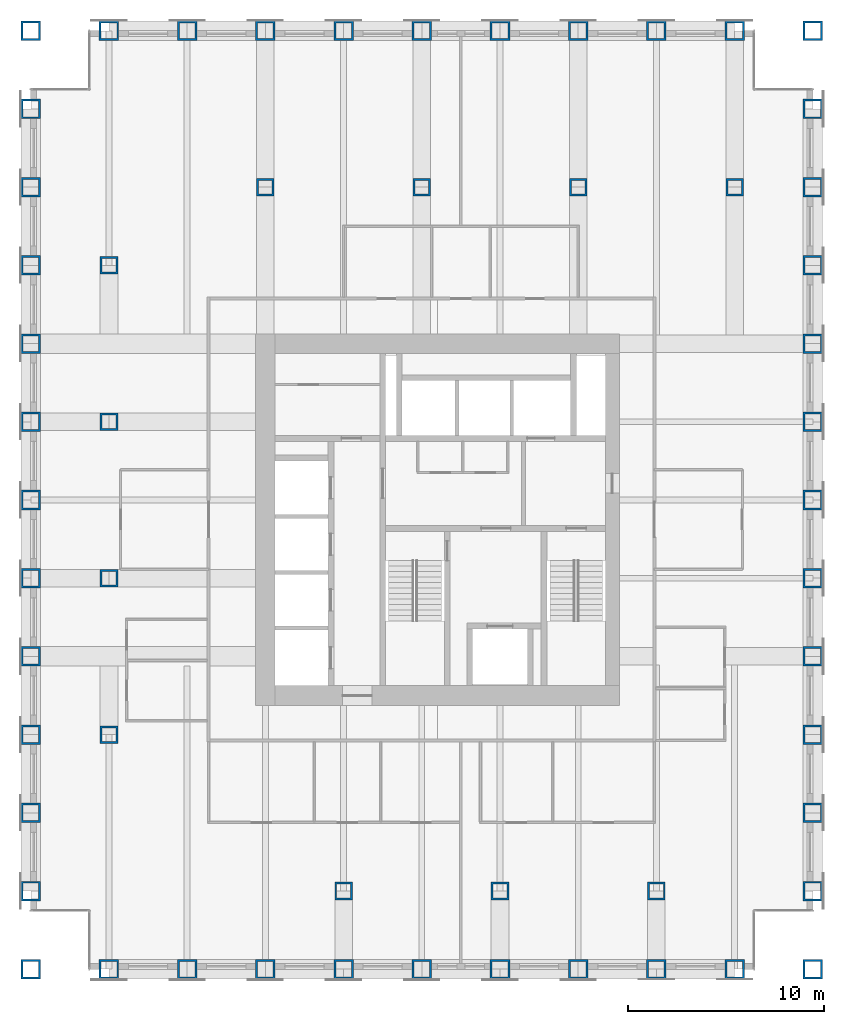
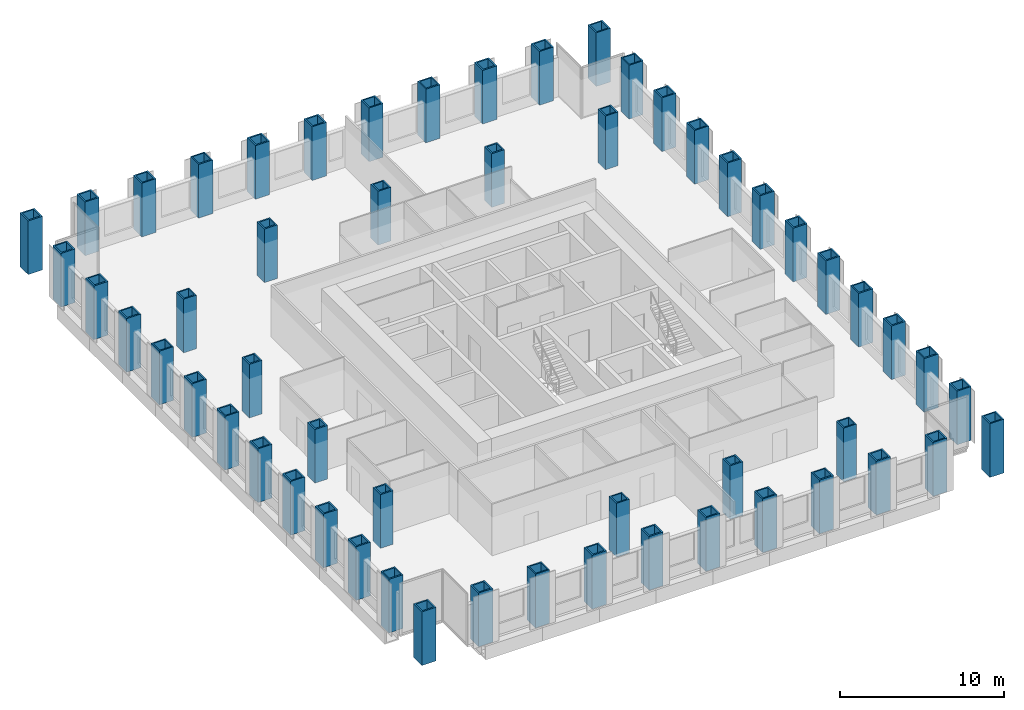
# One storey, part 1 of 12: 55 columns.
"""IFC4 building model written with IfcOpenShell, lengths in metres."""

from ifc_helpers import new_model, si_unit, direction, frame, origin, origin_2d, place, context, subcontext, project, spatial, hollow_rectangle, extrude, material, material_profile, profile_set, type_object, element, save


model = new_model("IFC4")

# Units and contexts
model_context = context("Model", 3, precision=1e-05, world=origin(), true_north=direction((0.0, 1.0)))
body_context = subcontext(model_context, "Body", "Model", "MODEL_VIEW")
ifc_project = project(units=[si_unit("LENGTHUNIT", "METRE"), si_unit("AREAUNIT", "SQUARE_METRE"), si_unit("VOLUMEUNIT", "CUBIC_METRE"), si_unit("PLANEANGLEUNIT", "RADIAN"), si_unit("MASSUNIT", "GRAM", prefix="KILO")], contexts=[model_context])

# Site, building, storey
site_placement = place(None, origin())
site = spatial("IfcSite", under=ifc_project, at=site_placement, CompositionType="ELEMENT")
building_placement = place(site_placement, origin())
building = spatial("IfcBuilding", under=site, at=building_placement, Name="Rimbunsela Tower", CompositionType="ELEMENT")
storey_placement = place(building_placement, frame((0.0, 0.0, 151.800048828125)))
storey = spatial("IfcBuildingStorey", under=building, at=storey_placement, Name="L36", CompositionType="ELEMENT", Elevation=151.800048828125)

# Columns
ifc_material_1 = material(Name="Steel BJ 55 (fy 410 MPa)", Category="steel")
ifc_material_profile_1 = material_profile(ifc_material_1, hollow_rectangle(XDim=1.0, YDim=1.0, WallThickness=0.10009765625, at=origin_2d()), Name="BOX 1000x1000x100")
ifc_profile_set_1 = profile_set([ifc_material_profile_1], Name="Steel BJ 55 (fy 410 MPa)")
column_type_1 = type_object("IfcColumnType", Name="Column BOX 1000x1000x100", PredefinedType="COLUMN", material=ifc_profile_set_1)
for number, where, z_axis, x_axis, name in (
    (1, (6.0, 4.0, 0.0), (0.0, 0.0, 1.0), (1.0, 0.0, 0.0), "Column C1 4/C L36"),
    (2, (6.0, 8.0, 0.0), (0.0, 0.0, 1.0), (1.0, 0.0, 0.0), "Column C1 4/D L36"),
    (3, (6.0, 12.0, 0.0), (0.0, 0.0, 1.0), (1.0, 0.0, 0.0), "Column C1 4/E L36"),
    (4, (6.0, 16.0, 0.0), (0.0, 0.0, 1.0), (1.0, 0.0, 0.0), "Column C1 4/F L36"),
    (5, (6.0, 20.0, 0.0), (0.0, 0.0, 1.0), (1.0, 0.0, 0.0), "Column C1 4/G L36"),
    (6, (6.0, 24.0, 0.0), (0.0, 0.0, 1.0), (1.0, 0.0, 0.0), "Column C1 4/H L36"),
    (7, (6.0, 28.0, 0.0), (0.0, 0.0, 1.0), (1.0, 0.0, 0.0), "Column C1 4/J L36"),
    (8, (6.0, 32.0, 0.0), (0.0, 0.0, 1.0), (1.0, 0.0, 0.0), "Column C1 4/K L36"),
    (9, (6.0, 36.0, 0.0), (0.0, 0.0, 1.0), (1.0, 0.0, 0.0), "Column C1 4/L L36"),
    (10, (6.0, 40.0, 0.0), (0.0, 0.0, 1.0), (1.0, 0.0, 0.0), "Column C1 4/M L36"),
    (11, (6.0, 44.0, 0.0), (0.0, 0.0, 1.0), (1.0, 0.0, 0.0), "Column C1 4/N L36"),
    (12, (6.0, 48.0, 0.0), (0.0, 0.0, 1.0), (1.0, 0.0, 0.0), "Column C1 4/P L36"),
    (13, (6.0, 52.0, 0.0), (0.0, 0.0, 1.0), (1.0, 0.0, 0.0), "Column C1 4/Q L36"),
    (14, (10.0, 4.0, 0.0), (0.0, 0.0, 1.0), (1.0, 0.0, 0.0), "Column C1 5/C L36"),
    (15, (10.0, 52.0, 0.0), (0.0, 0.0, 1.0), (1.0, 0.0, 0.0), "Column C1 5/Q L36"),
    (16, (14.0, 4.0, 0.0), (0.0, 0.0, 1.0), (1.0, 0.0, 0.0), "Column C1 6/C L36"),
    (17, (14.0, 52.0, 0.0), (0.0, 0.0, 1.0), (1.0, 0.0, 0.0), "Column C1 6/Q L36"),
    (18, (18.0, 4.0, 0.0), (0.0, 0.0, 1.0), (1.0, 0.0, 0.0), "Column C1 7/C L36"),
    (19, (18.0, 52.0, 0.0), (0.0, 0.0, 1.0), (1.0, 0.0, 0.0), "Column C1 7/Q L36"),
    (20, (22.0, 4.0, 0.0), (0.0, 0.0, 1.0), (1.0, 0.0, 0.0), "Column C1 8/C L36"),
    (21, (22.0, 52.0, 0.0), (0.0, 0.0, 1.0), (1.0, 0.0, 0.0), "Column C1 8/Q L36"),
    (22, (26.0, 4.0, 0.0), (0.0, 0.0, 1.0), (1.0, 0.0, 0.0), "Column C1 9/C L36"),
    (23, (26.0, 52.0, 0.0), (0.0, 0.0, 1.0), (1.0, 0.0, 0.0), "Column C1 9/Q L36"),
    (24, (30.0, 4.0, 0.0), (0.0, 0.0, 1.0), (1.0, 0.0, 0.0), "Column C1 10/C L36"),
    (25, (30.0, 52.0, 0.0), (0.0, 0.0, 1.0), (1.0, 0.0, 0.0), "Column C1 10/Q L36"),
    (26, (34.0, 4.0, 0.0), (0.0, 0.0, 1.0), (1.0, 0.0, 0.0), "Column C1 11/C L36"),
    (27, (34.0, 52.0, 0.0), (0.0, 0.0, 1.0), (1.0, 0.0, 0.0), "Column C1 11/Q L36"),
    (28, (38.0, 4.0, 0.0), (0.0, 0.0, 1.0), (1.0, 0.0, 0.0), "Column C1 12/C L36"),
    (29, (38.0, 52.0, 0.0), (0.0, 0.0, 1.0), (1.0, 0.0, 0.0), "Column C1 12/Q L36"),
    (30, (42.0, 4.0, 0.0), (0.0, 0.0, 1.0), (1.0, 0.0, 0.0), "Column C1 13/C L36"),
    (31, (42.0, 52.0, 0.0), (0.0, 0.0, 1.0), (1.0, 0.0, 0.0), "Column C1 13/Q L36"),
    (32, (46.0, 4.0, 0.0), (0.0, 0.0, 1.0), (1.0, 0.0, 0.0), "Column C1 14/C L36"),
    (33, (46.0, 8.0, 0.0), (0.0, 0.0, 1.0), (1.0, 0.0, 0.0), "Column C1 14/D L36"),
    (34, (46.0, 12.0, 0.0), (0.0, 0.0, 1.0), (1.0, 0.0, 0.0), "Column C1 14/E L36"),
    (35, (46.0, 16.0, 0.0), (0.0, 0.0, 1.0), (1.0, 0.0, 0.0), "Column C1 14/F L36"),
    (36, (46.0, 20.0, 0.0), (0.0, 0.0, 1.0), (1.0, 0.0, 0.0), "Column C1 14/G L36"),
    (37, (46.0, 24.0, 0.0), (0.0, 0.0, 1.0), (1.0, 0.0, 0.0), "Column C1 14/H L36"),
    (38, (46.0, 28.0, 0.0), (0.0, 0.0, 1.0), (1.0, 0.0, 0.0), "Column C1 14/J L36"),
    (39, (46.0, 32.0, 0.0), (0.0, 0.0, 1.0), (1.0, 0.0, 0.0), "Column C1 14/K L36"),
    (40, (46.0, 36.0, 0.0), (0.0, 0.0, 1.0), (1.0, 0.0, 0.0), "Column C1 14/L L36"),
    (41, (46.0, 40.0, 0.0), (0.0, 0.0, 1.0), (1.0, 0.0, 0.0), "Column C1 14/M L36"),
    (42, (46.0, 44.0, 0.0), (0.0, 0.0, 1.0), (1.0, 0.0, 0.0), "Column C1 14/N L36"),
    (43, (46.0, 48.0, 0.0), (0.0, 0.0, 1.0), (1.0, 0.0, 0.0), "Column C1 14/P L36"),
    (44, (46.0, 52.0, 0.0), (0.0, 0.0, 1.0), (1.0, 0.0, 0.0), "Column C1 14/Q L36"),
):
    element("IfcColumn", number, at=place(storey_placement, frame(where, z_axis=z_axis, x_axis=x_axis)), inside=storey, type_object=column_type_1, Name=name, PredefinedType="COLUMN", context=body_context, shape_type="SweptSolid", body=[
        extrude(hollow_rectangle(XDim=1.0, YDim=1.0, WallThickness=0.10009765625, at=origin_2d()), origin(), (0.0, 0.0, 1.0), 4.0),
    ])
ifc_material_2 = material(Name="Steel BJ 55 (fy 410 MPa)", Category="steel")
ifc_material_profile_2 = material_profile(ifc_material_2, hollow_rectangle(XDim=0.89990234375, YDim=0.89990234375, WallThickness=0.10009765625, at=origin_2d()), Name="BOX 900x900x100")
ifc_profile_set_2 = profile_set([ifc_material_profile_2], Name="Steel BJ 55 (fy 410 MPa)")
column_type_2 = type_object("IfcColumnType", Name="Column BOX 900x900x100", PredefinedType="COLUMN", material=ifc_profile_set_2)
for number, where, z_axis, x_axis, name in (
    (45, (10.0, 16.0, 0.0), (0.0, 0.0, 1.0), (1.0, 0.0, 0.0), "Column C5 5/F L36"),
    (46, (10.0, 24.0, 0.0), (0.0, 0.0, 1.0), (1.0, 0.0, 0.0), "Column C5 5/H L36"),
    (47, (10.0, 32.0, 0.0), (0.0, 0.0, 1.0), (1.0, 0.0, 0.0), "Column C5 5/K L36"),
    (48, (10.0, 40.0, 0.0), (0.0, 0.0, 1.0), (1.0, 0.0, 0.0), "Column C5 5/M L36"),
    (49, (18.0, 44.0, 0.0), (0.0, 0.0, 1.0), (1.0, 0.0, 0.0), "Column C5 7/N L36"),
    (50, (22.0, 8.0, 0.0), (0.0, 0.0, 1.0), (1.0, 0.0, 0.0), "Column C5 8/D L36"),
    (51, (26.0, 44.0, 0.0), (0.0, 0.0, 1.0), (1.0, 0.0, 0.0), "Column C5 9/N L36"),
    (52, (30.0, 8.0, 0.0), (0.0, 0.0, 1.0), (1.0, 0.0, 0.0), "Column C5 10/D L36"),
    (53, (34.0, 44.0, 0.0), (0.0, 0.0, 1.0), (1.0, 0.0, 0.0), "Column C5 11/N L36"),
    (54, (38.0, 8.0, 0.0), (0.0, 0.0, 1.0), (1.0, 0.0, 0.0), "Column C5 12/D L36"),
    (55, (42.0, 44.0, 0.0), (0.0, 0.0, 1.0), (1.0, 0.0, 0.0), "Column C5 13/N L36"),
):
    element("IfcColumn", number, at=place(storey_placement, frame(where, z_axis=z_axis, x_axis=x_axis)), inside=storey, type_object=column_type_2, Name=name, PredefinedType="COLUMN", context=body_context, shape_type="SweptSolid", body=[
        extrude(hollow_rectangle(XDim=0.89990234375, YDim=0.89990234375, WallThickness=0.10009765625, at=origin_2d()), origin(), (0.0, 0.0, 1.0), 4.0),
    ])

save(model, "model.ifc")
